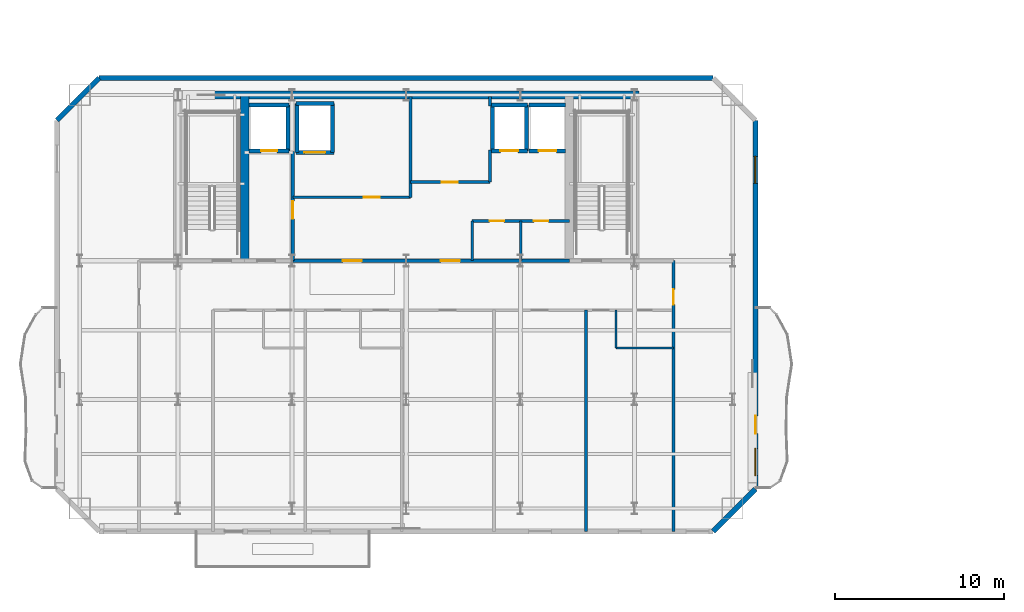
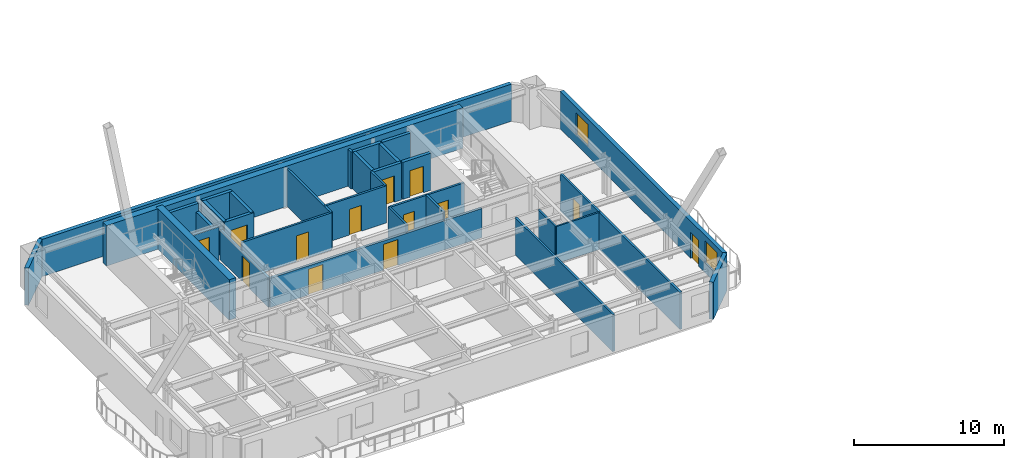
# One storey, part 6 of 13: 33 walls, 13 doors, 2 windows, 15 openings.
"""IFC4 building model written with IfcOpenShell, lengths in metres."""

from ifc_helpers import new_model, si_unit, direction, frame, frame_2d, origin, place, context, subcontext, project, spatial, rectangle, extrude, material, layer, layer_set, type_object, element, fill, save


model = new_model("IFC4")

# Units and contexts
model_context = context("Model", 3, precision=1e-05, world=origin(), true_north=direction((0.0, 1.0)))
body_context = subcontext(model_context, "Body", "Model", "MODEL_VIEW")
ifc_project = project(units=[si_unit("LENGTHUNIT", "METRE"), si_unit("AREAUNIT", "SQUARE_METRE"), si_unit("VOLUMEUNIT", "CUBIC_METRE"), si_unit("PLANEANGLEUNIT", "RADIAN"), si_unit("MASSUNIT", "GRAM", prefix="KILO")], contexts=[model_context])

# Site, building, storey
site_placement = place(None, origin())
site = spatial("IfcSite", under=ifc_project, at=site_placement, CompositionType="ELEMENT")
building_placement = place(site_placement, origin())
building = spatial("IfcBuilding", under=site, at=building_placement, Name="Haevon Station Towers", CompositionType="ELEMENT")
storey_placement = place(building_placement, frame((0.0, 0.0, 185.699951171875)))
storey = spatial("IfcBuildingStorey", under=building, at=storey_placement, Name="L51", CompositionType="ELEMENT", Elevation=185.699951171875)

# Wall, opening, door
ifc_material_1 = material(Name="Gypsum board on steel stud", Category="steel")
ifc_layer_1 = layer(ifc_material_1, 0.199951171875)
ifc_layer_set_1 = layer_set([ifc_layer_1], Name="Gypsum board on steel stud")
wall_type_1 = type_object("IfcWallType", Name="WL-COR200", PredefinedType="PARTITIONING", material=ifc_layer_set_1)
wall_1_placement = place(storey_placement, frame((30.800048828125, 38.199951171875, 0.0), z_axis=(0.0, 0.0, 1.0), x_axis=(0.0, 1.0, 0.0)))
wall_1 = element("IfcWall", 1, at=wall_1_placement, inside=storey, type_object=wall_type_1, Name="WL-T1FFL-L51-E", PredefinedType="PARTITIONING", context=body_context, shape_type="SweptSolid", body=[
    extrude(rectangle(XDim=6.449951171875, YDim=0.199951171875, at=frame_2d((3.22509765625, 0.0))), origin(), (0.0, 0.0, 1.0), 2.380126953125),
])
opening_1_placement = place(wall_1_placement, frame((2.469970703125, 0.0, 0.0)))
opening_1 = element("IfcOpeningElement", 2, at=opening_1_placement, cuts=wall_1, Name="Opening DR-T1FFL-L51-E", PredefinedType="OPENING", context=body_context, shape_type="SweptSolid", body=[
    extrude(rectangle(XDim=1.050048828125, YDim=2.10009765625, at=frame_2d((0.52490234375, 1.050048828125))), frame((0.0, 0.10986328125, 0.0), z_axis=(0.0, -1.0, 0.0), x_axis=(1.0, 0.0, 0.0)), (0.0, 0.0, 1.0), 0.219970703125),
])
ifc_material_2 = material(Name="Engineered oak timber", Category="wood")
door_type_1 = type_object("IfcDoorType", Name="DR-FD60-1050", OperationType="NOTDEFINED", PredefinedType="DOOR", material=ifc_material_2)
door_1_placement = place(opening_1_placement, origin())
door_1 = element("IfcDoor", 3, at=door_1_placement, inside=storey, type_object=door_type_1, Name="L51 Tower 1 Firefighting Lift Lobby Door E", OperationType="SINGLE_SWING_LEFT", OverallHeight=2.10009765625, OverallWidth=1.050048828125, PredefinedType="DOOR", context=body_context, shape_type="SweptSolid", body=[
    extrude(rectangle(XDim=1.050048828125, YDim=2.10009765625, at=frame_2d((0.52490234375, 1.050048828125))), frame((0.0, 0.02490234375, 0.0), z_axis=(0.0, -1.0, 0.0), x_axis=(1.0, 0.0, 0.0)), (0.0, 0.0, 1.0), 0.050048828125),
])
fill(opening_1, door_1)

# Wall, openings, doors
wall_2_placement = place(storey_placement, frame((30.800048828125, 38.199951171875, 0.0), z_axis=(0.0, 0.0, 1.0), x_axis=(1.0, 0.0, 0.0)))
wall_2 = element("IfcWall", 4, at=wall_2_placement, inside=storey, type_object=wall_type_1, Name="WL-T1CLB-L51", PredefinedType="PARTITIONING", context=body_context, shape_type="SweptSolid", body=[
    extrude(rectangle(XDim=16.349853515625, YDim=0.199951171875, at=frame_2d((8.1748046875, 0.0))), origin(), (0.0, 0.0, 1.0), 2.380126953125),
])
opening_2_placement = place(wall_2_placement, frame((2.949951171875, 0.0, 0.0)))
opening_2 = element("IfcOpeningElement", 5, at=opening_2_placement, cuts=wall_2, Name="Opening DR-T1CLB-L51-1", PredefinedType="OPENING", context=body_context, shape_type="SweptSolid", body=[
    extrude(rectangle(XDim=1.1201171875, YDim=2.10009765625, at=frame_2d((0.56005859375, 1.050048828125))), frame((0.0, 0.10986328125, 0.0), z_axis=(0.0, -1.0, 0.0), x_axis=(1.0, 0.0, 0.0)), (0.0, 0.0, 1.0), 0.219970703125),
])
opening_3_placement = place(wall_2_placement, frame((8.75, 0.0, 0.0)))
opening_3 = element("IfcOpeningElement", 6, at=opening_3_placement, cuts=wall_2, Name="Opening DR-T1CLB-L51-2", PredefinedType="OPENING", context=body_context, shape_type="SweptSolid", body=[
    extrude(rectangle(XDim=1.1201171875, YDim=2.10009765625, at=frame_2d((0.56005859375, 1.050048828125))), frame((0.0, 0.10986328125, 0.0), z_axis=(0.0, -1.0, 0.0), x_axis=(1.0, 0.0, 0.0)), (0.0, 0.0, 1.0), 0.219970703125),
])
door_type_2 = type_object("IfcDoorType", Name="DR-ST-1120", OperationType="NOTDEFINED", PredefinedType="DOOR", material=ifc_material_2)
door_2_placement = place(opening_2_placement, origin())
door_2 = element("IfcDoor", 7, at=door_2_placement, inside=storey, type_object=door_type_2, Name="L51 Tower 1 Core Lift Lobby Door 1", OperationType="SINGLE_SWING_LEFT", OverallHeight=2.10009765625, OverallWidth=1.1201171875, PredefinedType="DOOR", context=body_context, shape_type="SweptSolid", body=[
    extrude(rectangle(XDim=1.1201171875, YDim=2.10009765625, at=frame_2d((0.56005859375, 1.050048828125))), frame((0.0, 0.02490234375, 0.0), z_axis=(0.0, -1.0, 0.0), x_axis=(1.0, 0.0, 0.0)), (0.0, 0.0, 1.0), 0.050048828125),
])
fill(opening_2, door_2)
door_3_placement = place(opening_3_placement, origin())
door_3 = element("IfcDoor", 8, at=door_3_placement, inside=storey, type_object=door_type_2, Name="L51 Tower 1 Core Lift Lobby Door 2", OperationType="SINGLE_SWING_RIGHT", OverallHeight=2.10009765625, OverallWidth=1.1201171875, PredefinedType="DOOR", context=body_context, shape_type="SweptSolid", body=[
    extrude(rectangle(XDim=1.1201171875, YDim=2.10009765625, at=frame_2d((0.56005859375, 1.050048828125))), frame((0.0, 0.02490234375, 0.0), z_axis=(0.0, -1.0, 0.0), x_axis=(1.0, 0.0, 0.0)), (0.0, 0.0, 1.0), 0.050048828125),
])
fill(opening_3, door_3)

# Walls
ifc_material_3 = material(Name="Concrete C60/75", Category="concrete")
ifc_layer_2 = layer(ifc_material_3, 0.5)
ifc_layer_set_2 = layer_set([ifc_layer_2], Name="Concrete C60/75")
wall_type_2 = type_object("IfcWallType", Name="WL-CR500", PredefinedType="SHEAR", material=ifc_layer_set_2)
wall_3_placement = place(storey_placement, frame((23.75, 48.0, 0.0), z_axis=(0.0, 0.0, 1.0), x_axis=(1.0, 0.0, 0.0)))
element("IfcWall", 9, at=wall_3_placement, inside=storey, type_object=wall_type_2, Name="WL-T1CR-L51-N", PredefinedType="SHEAR", context=body_context, shape_type="SweptSolid", body=[
    extrude(rectangle(XDim=27.5, YDim=0.5, at=frame_2d((13.75, 0.0))), origin(), (0.0, 0.0, 1.0), 3.300048828125),
])
wall_4_placement = place(storey_placement, frame((27.949951171875, 38.199951171875, 0.0), z_axis=(0.0, 0.0, 1.0), x_axis=(0.0, 1.0, 0.0)))
element("IfcWall", 10, at=wall_4_placement, inside=storey, type_object=wall_type_2, Name="WL-T1CR-L51-M1", PredefinedType="SHEAR", context=body_context, shape_type="SweptSolid", body=[
    extrude(rectangle(XDim=9.800048828125, YDim=0.5, at=frame_2d((4.89990234375, 0.0))), origin(), (0.0, 0.0, 1.0), 3.300048828125),
])
ifc_material_4 = material(Name="Precast concrete C45/55", Category="concrete")
ifc_layer_3 = layer(ifc_material_4, 0.300048828125)
ifc_layer_set_3 = layer_set([ifc_layer_3], Name="Precast concrete C45/55")
wall_type_3 = type_object("IfcWallType", Name="WL-EXT-PIER300", PredefinedType="SOLIDWALL", material=ifc_layer_set_3)
wall_5_placement = place(storey_placement, frame((16.85009765625, 46.5, 0.0), z_axis=(0.0, 0.0, 1.0), x_axis=(0.707106781187, 0.707106781187, 0.0)))
element("IfcWall", 11, at=wall_5_placement, inside=storey, type_object=wall_type_3, Name="WL-T1-L51-NWC", PredefinedType="SOLIDWALL", context=body_context, shape_type="SweptSolid", body=[
    extrude(rectangle(XDim=3.53564453125, YDim=0.300048828125, at=frame_2d((1.767822265625, 0.0))), origin(), (0.0, 0.0, 1.0), 3.030029296875),
])
wall_6_placement = place(storey_placement, frame((19.35009765625, 49.0, 0.0), z_axis=(0.0, 0.0, 1.0), x_axis=(1.0, 0.0, 0.0)))
element("IfcWall", 12, at=wall_6_placement, inside=storey, type_object=wall_type_3, Name="WL-T1-L51-N", PredefinedType="SOLIDWALL", context=body_context, shape_type="SweptSolid", body=[
    extrude(rectangle(XDim=36.2998046875, YDim=0.300048828125, at=frame_2d((18.14990234375, 0.0))), origin(), (0.0, 0.0, 1.0), 3.030029296875),
])

# Wall, openings, door, windows
wall_7_placement = place(storey_placement, frame((58.14990234375, 46.5, 0.0), z_axis=(0.0, 0.0, 1.0), x_axis=(0.0, -1.0, 0.0)))
wall_7 = element("IfcWall", 13, at=wall_7_placement, inside=storey, type_object=wall_type_3, Name="WL-T1-L51-E", PredefinedType="SOLIDWALL", context=body_context, shape_type="SweptSolid", body=[
    extrude(rectangle(XDim=21.800048828125, YDim=0.300048828125, at=frame_2d((10.89990234375, 0.0))), origin(), (0.0, 0.0, 1.0), 3.030029296875),
])
opening_4_placement = place(wall_7_placement, frame((17.47509765625, 0.0, 0.0)))
opening_4 = element("IfcOpeningElement", 14, at=opening_4_placement, cuts=wall_7, Name="Opening DR-T1-SCAL-L51-E", PredefinedType="OPENING", context=body_context, shape_type="SweptSolid", body=[
    extrude(rectangle(XDim=1.050048828125, YDim=2.10009765625, at=frame_2d((0.52490234375, 1.050048828125))), frame((0.0, 0.159912109375, 0.0), z_axis=(0.0, -1.0, 0.0), x_axis=(1.0, 0.0, 0.0)), (0.0, 0.0, 1.0), 0.320068359375),
])
opening_5_placement = place(wall_7_placement, frame((2.128662109375, 0.0, 0.800048828125)))
opening_5 = element("IfcOpeningElement", 15, at=opening_5_placement, cuts=wall_7, Name="Opening WN-END160", PredefinedType="OPENING", context=body_context, shape_type="SweptSolid", body=[
    extrude(rectangle(XDim=1.60009765625, YDim=1.800048828125, at=frame_2d((0.800048828125, 0.89990234375))), frame((0.0, 0.159912109375, 0.0), z_axis=(0.0, -1.0, 0.0), x_axis=(1.0, 0.0, 0.0)), (0.0, 0.0, 1.0), 0.320068359375),
])
opening_6_placement = place(wall_7_placement, frame((19.39990234375, 0.0, 0.800048828125)))
opening_6 = element("IfcOpeningElement", 16, at=opening_6_placement, cuts=wall_7, Name="Opening WN-END160", PredefinedType="OPENING", context=body_context, shape_type="SweptSolid", body=[
    extrude(rectangle(XDim=1.60009765625, YDim=1.800048828125, at=frame_2d((0.800048828125, 0.89990234375))), frame((0.0, 0.159912109375, 0.0), z_axis=(0.0, -1.0, 0.0), x_axis=(1.0, 0.0, 0.0)), (0.0, 0.0, 1.0), 0.320068359375),
])
ifc_material_5 = material(Name="Thermally broken anodised aluminium and laminated safety glass", Category="aluminium")
door_type_3 = type_object("IfcDoorType", Name="DR-BALC-1050", OperationType="NOTDEFINED", PredefinedType="DOOR", material=ifc_material_5)
door_4_placement = place(opening_4_placement, origin())
door_4 = element("IfcDoor", 17, at=door_4_placement, inside=storey, type_object=door_type_3, Name="Tower 1 L51 East Scalloped Balcony Door", OperationType="SINGLE_SWING_LEFT", OverallHeight=2.10009765625, OverallWidth=1.050048828125, PredefinedType="DOOR", context=body_context, shape_type="SweptSolid", body=[
    extrude(rectangle(XDim=1.050048828125, YDim=2.10009765625, at=frame_2d((0.52490234375, 1.050048828125))), frame((0.0, 0.02490234375, 0.0), z_axis=(0.0, -1.0, 0.0), x_axis=(1.0, 0.0, 0.0)), (0.0, 0.0, 1.0), 0.050048828125),
])
fill(opening_4, door_4)
ifc_material_6 = material(Name="Low-E triple glazing in thermally broken aluminium", Category="aluminium")
window_type = type_object("IfcWindowType", Name="WN-END160", PartitioningType="SINGLE_PANEL", PredefinedType="WINDOW", material=ifc_material_6)
window_1_placement = place(opening_5_placement, origin())
window_1 = element("IfcWindow", 18, at=window_1_placement, inside=storey, type_object=window_type, Name="WN-T1-L51-E01", OverallHeight=1.800048828125, OverallWidth=1.60009765625, PartitioningType="SINGLE_PANEL", PredefinedType="WINDOW", context=body_context, shape_type="SweptSolid", body=[
    extrude(rectangle(XDim=1.60009765625, YDim=1.800048828125, at=frame_2d((0.800048828125, 0.89990234375))), frame((0.0, 0.030029296875, 0.0), z_axis=(0.0, -1.0, 0.0), x_axis=(1.0, 0.0, 0.0)), (0.0, 0.0, 1.0), 0.06005859375),
])
fill(opening_5, window_1)
window_2_placement = place(opening_6_placement, origin())
window_2 = element("IfcWindow", 19, at=window_2_placement, inside=storey, type_object=window_type, Name="WN-T1-L51-E02", OverallHeight=1.800048828125, OverallWidth=1.60009765625, PartitioningType="SINGLE_PANEL", PredefinedType="WINDOW", context=body_context, shape_type="SweptSolid", body=[
    extrude(rectangle(XDim=1.60009765625, YDim=1.800048828125, at=frame_2d((0.800048828125, 0.89990234375))), frame((0.0, 0.030029296875, 0.0), z_axis=(0.0, -1.0, 0.0), x_axis=(1.0, 0.0, 0.0)), (0.0, 0.0, 1.0), 0.06005859375),
])
fill(opening_6, window_2)

# Walls
wall_8_placement = place(storey_placement, frame((58.14990234375, 24.699951171875, 0.0), z_axis=(0.0, 0.0, 1.0), x_axis=(-0.707106781187, -0.707106781187, 0.0)))
element("IfcWall", 20, at=wall_8_placement, inside=storey, type_object=wall_type_3, Name="WL-T1-L51-SEC", PredefinedType="SOLIDWALL", context=body_context, shape_type="SweptSolid", body=[
    extrude(rectangle(XDim=3.53564453125, YDim=0.300048828125, at=frame_2d((1.767822265625, 0.0))), origin(), (0.0, 0.0, 1.0), 3.030029296875),
])
ifc_layer_4 = layer(ifc_material_1, 0.125)
ifc_layer_set_4 = layer_set([ifc_layer_4], Name="Gypsum board on steel stud")
wall_type_4 = type_object("IfcWallType", Name="WL-PRT125", PredefinedType="PARTITIONING", material=ifc_layer_set_4)
wall_9_placement = place(storey_placement, frame((49.908203125, 33.030029296875, 0.0), z_axis=(0.0, 0.0, 1.0), x_axis=(1.0, 0.0, 0.0)))
element("IfcWall", 21, at=wall_9_placement, inside=storey, type_object=wall_type_4, Name="WL-T1PT-L51-14", PredefinedType="PARTITIONING", context=body_context, shape_type="SweptSolid", body=[
    extrude(rectangle(XDim=3.391845703125, YDim=0.125, at=frame_2d((1.69580078125, 0.0))), origin(), (0.0, 0.0, 1.0), 3.030029296875),
])
wall_10_placement = place(storey_placement, frame((49.908203125, 33.030029296875, 0.0), z_axis=(0.0, 0.0, 1.0), x_axis=(0.0, 1.0, 0.0)))
element("IfcWall", 22, at=wall_10_placement, inside=storey, type_object=wall_type_4, Name="WL-T1PT-L51-15", PredefinedType="PARTITIONING", context=body_context, shape_type="SweptSolid", body=[
    extrude(rectangle(XDim=2.25, YDim=0.125, at=frame_2d((1.125, 0.0))), origin(), (0.0, 0.0, 1.0), 3.030029296875),
])

# Wall, opening, door
ifc_layer_5 = layer(ifc_material_1, 0.159912109375)
ifc_layer_set_5 = layer_set([ifc_layer_5], Name="Gypsum board on steel stud")
wall_type_5 = type_object("IfcWallType", Name="WL-PRT160", PredefinedType="PARTITIONING", material=ifc_layer_set_5)
wall_11_placement = place(storey_placement, frame((30.800048828125, 41.949951171875, 0.0), z_axis=(0.0, 0.0, 1.0), x_axis=(1.0, 0.0, 0.0)))
wall_11 = element("IfcWall", 23, at=wall_11_placement, inside=storey, type_object=wall_type_5, Name="WL-T1CW-L51-01", PredefinedType="PARTITIONING", context=body_context, shape_type="SweptSolid", body=[
    extrude(rectangle(XDim=6.949951171875, YDim=0.159912109375, at=frame_2d((3.47509765625, 0.0))), origin(), (0.0, 0.0, 1.0), 3.030029296875),
])
opening_7_placement = place(wall_11_placement, frame((4.199951171875, 0.0, 0.0)))
opening_7 = element("IfcOpeningElement", 24, at=opening_7_placement, cuts=wall_11, Name="Opening DR-WL-T1CW-L51-01-1", PredefinedType="OPENING", context=body_context, shape_type="SweptSolid", body=[
    extrude(rectangle(XDim=0.949951171875, YDim=2.10009765625, at=frame_2d((0.47509765625, 1.050048828125))), frame((0.0, 0.08984375, 0.0), z_axis=(0.0, -1.0, 0.0), x_axis=(1.0, 0.0, 0.0)), (0.0, 0.0, 1.0), 0.179931640625),
])
door_type_4 = type_object("IfcDoorType", Name="DR-FD60-950", OperationType="NOTDEFINED", PredefinedType="DOOR", material=ifc_material_2)
door_5_placement = place(opening_7_placement, origin())
door_5 = element("IfcDoor", 25, at=door_5_placement, inside=storey, type_object=door_type_4, Name="L51 Tower 1 Core Room Door 1-1", OperationType="SINGLE_SWING_RIGHT", OverallHeight=2.10009765625, OverallWidth=0.949951171875, PredefinedType="DOOR", context=body_context, shape_type="SweptSolid", body=[
    extrude(rectangle(XDim=0.949951171875, YDim=2.10009765625, at=frame_2d((0.47509765625, 1.050048828125))), frame((0.0, 0.02490234375, 0.0), z_axis=(0.0, -1.0, 0.0), x_axis=(1.0, 0.0, 0.0)), (0.0, 0.0, 1.0), 0.050048828125),
])
fill(opening_7, door_5)

# Wall
wall_12_placement = place(storey_placement, frame((37.75, 41.949951171875, 0.0), z_axis=(0.0, 0.0, 1.0), x_axis=(0.0, 1.0, 0.0)))
element("IfcWall", 26, at=wall_12_placement, inside=storey, type_object=wall_type_5, Name="WL-T1CW-L51-02", PredefinedType="PARTITIONING", context=body_context, shape_type="SweptSolid", body=[
    extrude(rectangle(XDim=5.949951171875, YDim=0.159912109375, at=frame_2d((2.97509765625, 0.0))), origin(), (0.0, 0.0, 1.0), 3.030029296875),
])

# Wall, opening, door
wall_13_placement = place(storey_placement, frame((37.75, 42.85009765625, 0.0), z_axis=(0.0, 0.0, 1.0), x_axis=(1.0, 0.0, 0.0)))
wall_13 = element("IfcWall", 27, at=wall_13_placement, inside=storey, type_object=wall_type_5, Name="WL-T1CW-L51-03", PredefinedType="PARTITIONING", context=body_context, shape_type="SweptSolid", body=[
    extrude(rectangle(XDim=4.699951171875, YDim=0.159912109375, at=frame_2d((2.35009765625, 0.0))), origin(), (0.0, 0.0, 1.0), 3.030029296875),
])
opening_8_placement = place(wall_13_placement, frame((1.85009765625, 0.0, 0.0)))
opening_8 = element("IfcOpeningElement", 28, at=opening_8_placement, cuts=wall_13, Name="Opening DR-WL-T1CW-L51-03-1", PredefinedType="OPENING", context=body_context, shape_type="SweptSolid", body=[
    extrude(rectangle(XDim=0.949951171875, YDim=2.10009765625, at=frame_2d((0.47509765625, 1.050048828125))), frame((0.0, 0.08984375, 0.0), z_axis=(0.0, -1.0, 0.0), x_axis=(1.0, 0.0, 0.0)), (0.0, 0.0, 1.0), 0.179931640625),
])
door_6_placement = place(opening_8_placement, origin())
door_6 = element("IfcDoor", 29, at=door_6_placement, inside=storey, type_object=door_type_4, Name="L51 Tower 1 Core Room Door 3-1", OperationType="SINGLE_SWING_LEFT", OverallHeight=2.10009765625, OverallWidth=0.949951171875, PredefinedType="DOOR", context=body_context, shape_type="SweptSolid", body=[
    extrude(rectangle(XDim=0.949951171875, YDim=2.10009765625, at=frame_2d((0.47509765625, 1.050048828125))), frame((0.0, 0.02490234375, 0.0), z_axis=(0.0, -1.0, 0.0), x_axis=(1.0, 0.0, 0.0)), (0.0, 0.0, 1.0), 0.050048828125),
])
fill(opening_8, door_6)

# Walls
wall_14_placement = place(storey_placement, frame((42.449951171875, 42.85009765625, 0.0), z_axis=(0.0, 0.0, 1.0), x_axis=(0.0, 1.0, 0.0)))
element("IfcWall", 30, at=wall_14_placement, inside=storey, type_object=wall_type_5, Name="WL-T1CW-L51-04", PredefinedType="PARTITIONING", context=body_context, shape_type="SweptSolid", body=[
    extrude(rectangle(XDim=1.89990234375, YDim=0.159912109375, at=frame_2d((0.949951171875, 0.0))), origin(), (0.0, 0.0, 1.0), 3.030029296875),
])
wall_15_placement = place(storey_placement, frame((42.449951171875, 47.35009765625, 0.0), z_axis=(0.0, 0.0, 1.0), x_axis=(0.0, 1.0, 0.0)))
element("IfcWall", 31, at=wall_15_placement, inside=storey, type_object=wall_type_5, Name="WL-T1CW-L51-05", PredefinedType="PARTITIONING", context=body_context, shape_type="SweptSolid", body=[
    extrude(rectangle(XDim=0.5498046875, YDim=0.159912109375, at=frame_2d((0.27490234375, 0.0))), origin(), (0.0, 0.0, 1.0), 3.030029296875),
])
for number, where, z_axis, x_axis, name in (
    (32, (41.39990234375, 38.199951171875, 0.0), (0.0, 0.0, 1.0), (0.0, 1.0, 0.0), "WL-T1CW-L51-06"),
    (33, (44.280029296875, 38.199951171875, 0.0), (0.0, 0.0, 1.0), (0.0, 1.0, 0.0), "WL-T1CW-L51-07"),
):
    element("IfcWall", number, at=place(storey_placement, frame(where, z_axis=z_axis, x_axis=x_axis)), inside=storey, type_object=wall_type_5, Name=name, PredefinedType="PARTITIONING", context=body_context, shape_type="SweptSolid", body=[
        extrude(rectangle(XDim=2.35009765625, YDim=0.159912109375, at=frame_2d((1.175048828125, 0.0))), origin(), (0.0, 0.0, 1.0), 3.030029296875),
    ])

# Wall, openings, doors
wall_16_placement = place(storey_placement, frame((41.39990234375, 40.550048828125, 0.0), z_axis=(0.0, 0.0, 1.0), x_axis=(1.0, 0.0, 0.0)))
wall_16 = element("IfcWall", 34, at=wall_16_placement, inside=storey, type_object=wall_type_5, Name="WL-T1CW-L51-08", PredefinedType="PARTITIONING", context=body_context, shape_type="SweptSolid", body=[
    extrude(rectangle(XDim=5.75, YDim=0.159912109375, at=frame_2d((2.875, 0.0))), origin(), (0.0, 0.0, 1.0), 3.030029296875),
])
opening_9_placement = place(wall_16_placement, frame((1.034912109375, 0.0, 0.0)))
opening_9 = element("IfcOpeningElement", 35, at=opening_9_placement, cuts=wall_16, Name="Opening DR-WL-T1CW-L51-08-1", PredefinedType="OPENING", context=body_context, shape_type="SweptSolid", body=[
    extrude(rectangle(XDim=0.85009765625, YDim=2.050048828125, at=frame_2d((0.425048828125, 1.02490234375))), frame((0.0, 0.08984375, 0.0), z_axis=(0.0, -1.0, 0.0), x_axis=(1.0, 0.0, 0.0)), (0.0, 0.0, 1.0), 0.179931640625),
])
opening_10_placement = place(wall_16_placement, frame((3.655029296875, 0.0, 0.0)))
opening_10 = element("IfcOpeningElement", 36, at=opening_10_placement, cuts=wall_16, Name="Opening DR-WL-T1CW-L51-08-2", PredefinedType="OPENING", context=body_context, shape_type="SweptSolid", body=[
    extrude(rectangle(XDim=0.85009765625, YDim=2.050048828125, at=frame_2d((0.425048828125, 1.02490234375))), frame((0.0, 0.08984375, 0.0), z_axis=(0.0, -1.0, 0.0), x_axis=(1.0, 0.0, 0.0)), (0.0, 0.0, 1.0), 0.179931640625),
])
door_type_5 = type_object("IfcDoorType", Name="DR-FD30-850", OperationType="NOTDEFINED", PredefinedType="DOOR", material=ifc_material_2)
door_7_placement = place(opening_9_placement, origin())
door_7 = element("IfcDoor", 37, at=door_7_placement, inside=storey, type_object=door_type_5, Name="L51 Tower 1 Core Room Door 8-1", OperationType="SINGLE_SWING_RIGHT", OverallHeight=2.050048828125, OverallWidth=0.85009765625, PredefinedType="DOOR", context=body_context, shape_type="SweptSolid", body=[
    extrude(rectangle(XDim=0.85009765625, YDim=2.050048828125, at=frame_2d((0.425048828125, 1.02490234375))), frame((0.0, 0.02490234375, 0.0), z_axis=(0.0, -1.0, 0.0), x_axis=(1.0, 0.0, 0.0)), (0.0, 0.0, 1.0), 0.050048828125),
])
fill(opening_9, door_7)
door_8_placement = place(opening_10_placement, origin())
door_8 = element("IfcDoor", 38, at=door_8_placement, inside=storey, type_object=door_type_5, Name="L51 Tower 1 Core Room Door 8-2", OperationType="SINGLE_SWING_LEFT", OverallHeight=2.050048828125, OverallWidth=0.85009765625, PredefinedType="DOOR", context=body_context, shape_type="SweptSolid", body=[
    extrude(rectangle(XDim=0.85009765625, YDim=2.050048828125, at=frame_2d((0.425048828125, 1.02490234375))), frame((0.0, 0.02490234375, 0.0), z_axis=(0.0, -1.0, 0.0), x_axis=(1.0, 0.0, 0.0)), (0.0, 0.0, 1.0), 0.050048828125),
])
fill(opening_10, door_8)

# Wall, opening, door
wall_17_placement = place(storey_placement, frame((53.300048828125, 22.199951171875, 0.0), z_axis=(0.0, 0.0, 1.0), x_axis=(0.0, 1.0, 0.0)))
wall_17 = element("IfcWall", 39, at=wall_17_placement, inside=storey, type_object=wall_type_5, Name="WL-T1PT-L51-05", PredefinedType="PARTITIONING", context=body_context, shape_type="SweptSolid", body=[
    extrude(rectangle(XDim=16.0, YDim=0.159912109375, at=frame_2d((8.0, 0.0))), origin(), (0.0, 0.0, 1.0), 3.030029296875),
])
opening_11_placement = place(wall_17_placement, frame((13.39990234375, 0.0, 0.0)))
opening_11 = element("IfcOpeningElement", 40, at=opening_11_placement, cuts=wall_17, Name="Opening DR-WL-T1PT-L51-05-01", PredefinedType="OPENING", context=body_context, shape_type="SweptSolid", body=[
    extrude(rectangle(XDim=0.89990234375, YDim=2.050048828125, at=frame_2d((0.449951171875, 1.02490234375))), frame((0.0, 0.08984375, 0.0), z_axis=(0.0, -1.0, 0.0), x_axis=(1.0, 0.0, 0.0)), (0.0, 0.0, 1.0), 0.179931640625),
])
door_type_6 = type_object("IfcDoorType", Name="DR-INT-900", OperationType="NOTDEFINED", PredefinedType="DOOR", material=ifc_material_2)
door_9_placement = place(opening_11_placement, origin())
door_9 = element("IfcDoor", 41, at=door_9_placement, inside=storey, type_object=door_type_6, Name="L51 Tower 1 Room Door 5-1", OperationType="SINGLE_SWING_LEFT", OverallHeight=2.050048828125, OverallWidth=0.89990234375, PredefinedType="DOOR", context=body_context, shape_type="SweptSolid", body=[
    extrude(rectangle(XDim=0.89990234375, YDim=2.050048828125, at=frame_2d((0.449951171875, 1.02490234375))), frame((0.0, 0.02490234375, 0.0), z_axis=(0.0, -1.0, 0.0), x_axis=(1.0, 0.0, 0.0)), (0.0, 0.0, 1.0), 0.050048828125),
])
fill(opening_11, door_9)

# Wall
wall_18_placement = place(storey_placement, frame((48.128173828125, 22.199951171875, 0.0), z_axis=(0.0, 0.0, 1.0), x_axis=(0.0, 1.0, 0.0)))
element("IfcWall", 42, at=wall_18_placement, inside=storey, type_object=wall_type_5, Name="WL-T1PT-L51-13", PredefinedType="PARTITIONING", context=body_context, shape_type="SweptSolid", body=[
    extrude(rectangle(XDim=13.080078125, YDim=0.159912109375, at=frame_2d((6.5400390625, 0.0))), origin(), (0.0, 0.0, 1.0), 3.030029296875),
])

# Wall, opening, door
ifc_material_7 = material(Name="Concrete C40/50", Category="concrete")
ifc_layer_6 = layer(ifc_material_7, 0.239990234375)
ifc_layer_set_6 = layer_set([ifc_layer_6], Name="Concrete C40/50")
wall_type_6 = type_object("IfcWallType", Name="WL-SHF240", PredefinedType="PARTITIONING", material=ifc_layer_set_6)
wall_19_placement = place(storey_placement, frame((28.219970703125, 44.699951171875, 0.0), z_axis=(0.0, 0.0, 1.0), x_axis=(1.0, 0.0, 0.0)))
wall_19 = element("IfcWall", 43, at=wall_19_placement, inside=storey, type_object=wall_type_6, Name="WL-SHF-FL1-L51", PredefinedType="PARTITIONING", context=body_context, shape_type="SweptSolid", body=[
    extrude(rectangle(XDim=2.360107421875, YDim=0.239990234375, at=frame_2d((1.18017578125, 0.0))), origin(), (0.0, 0.0, 1.0), 2.72998046875),
])
opening_12_placement = place(wall_19_placement, frame((0.705078125, 0.0, 0.0)))
opening_12 = element("IfcOpeningElement", 44, at=opening_12_placement, cuts=wall_19, Name="Opening LD-FL1-L51", PredefinedType="OPENING", context=body_context, shape_type="SweptSolid", body=[
    extrude(rectangle(XDim=0.949951171875, YDim=2.14990234375, at=frame_2d((0.47509765625, 1.074951171875))), frame((0.0, 0.1298828125, 0.0), z_axis=(0.0, -1.0, 0.0), x_axis=(1.0, 0.0, 0.0)), (0.0, 0.0, 1.0), 0.260009765625),
])
ifc_material_8 = material(Name="Stainless steel and rated core", Category="steel")
door_type_7 = type_object("IfcDoorType", Name="LD-FL950", OperationType="SLIDING_TO_LEFT", PredefinedType="DOOR", material=ifc_material_8)
door_10_placement = place(opening_12_placement, origin())
door_10 = element("IfcDoor", 45, at=door_10_placement, inside=storey, type_object=door_type_7, Name="L51 Lift FL1 Sliding Landing Door", OperationType="SLIDING_TO_LEFT", OverallHeight=2.14990234375, OverallWidth=0.949951171875, PredefinedType="DOOR", context=body_context, shape_type="SweptSolid", body=[
    extrude(rectangle(XDim=0.949951171875, YDim=2.14990234375, at=frame_2d((0.47509765625, 1.074951171875))), frame((0.0, 0.02490234375, 0.0), z_axis=(0.0, -1.0, 0.0), x_axis=(1.0, 0.0, 0.0)), (0.0, 0.0, 1.0), 0.050048828125),
])
fill(opening_12, door_10)

# Walls
wall_20_placement = place(storey_placement, frame((28.219970703125, 47.39990234375, 0.0), z_axis=(0.0, 0.0, 1.0), x_axis=(1.0, 0.0, 0.0)))
element("IfcWall", 46, at=wall_20_placement, inside=storey, type_object=wall_type_6, Name="WL-SHF-FL1-L51-N", PredefinedType="PARTITIONING", context=body_context, shape_type="SweptSolid", body=[
    extrude(rectangle(XDim=2.360107421875, YDim=0.239990234375, at=frame_2d((1.18017578125, 0.0))), origin(), (0.0, 0.0, 1.0), 3.030029296875),
])
wall_21_placement = place(storey_placement, frame((30.5, 44.699951171875, 0.0), z_axis=(0.0, 0.0, 1.0), x_axis=(0.0, 1.0, 0.0)))
element("IfcWall", 47, at=wall_21_placement, inside=storey, type_object=wall_type_6, Name="WL-SHF-FL1-L51-E", PredefinedType="PARTITIONING", context=body_context, shape_type="SweptSolid", body=[
    extrude(rectangle(XDim=2.699951171875, YDim=0.239990234375, at=frame_2d((1.35009765625, 0.0))), origin(), (0.0, 0.0, 1.0), 2.380126953125),
])

# Wall, opening, door
wall_22_placement = place(storey_placement, frame((30.969970703125, 44.60009765625, 0.0), z_axis=(0.0, 0.0, 1.0), x_axis=(1.0, 0.0, 0.0)))
wall_22 = element("IfcWall", 48, at=wall_22_placement, inside=storey, type_object=wall_type_6, Name="WL-SHF-SL1-L51", PredefinedType="PARTITIONING", context=body_context, shape_type="SweptSolid", body=[
    extrude(rectangle(XDim=2.260009765625, YDim=0.239990234375, at=frame_2d((1.1298828125, 0.0))), origin(), (0.0, 0.0, 1.0), 3.030029296875),
])
opening_13_placement = place(wall_22_placement, frame((0.5048828125, 0.0, 0.0)))
opening_13 = element("IfcOpeningElement", 49, at=opening_13_placement, cuts=wall_22, Name="Opening LD-SL1-L51", PredefinedType="OPENING", context=body_context, shape_type="SweptSolid", body=[
    extrude(rectangle(XDim=1.25, YDim=2.199951171875, at=frame_2d((0.625, 1.10009765625))), frame((0.0, 0.1298828125, 0.0), z_axis=(0.0, -1.0, 0.0), x_axis=(1.0, 0.0, 0.0)), (0.0, 0.0, 1.0), 0.260009765625),
])
door_type_8 = type_object("IfcDoorType", Name="LD-SL1250", OperationType="SLIDING_TO_LEFT", PredefinedType="DOOR", material=ifc_material_8)
door_11_placement = place(opening_13_placement, origin())
door_11 = element("IfcDoor", 50, at=door_11_placement, inside=storey, type_object=door_type_8, Name="L51 Lift SL1 Sliding Landing Door", OperationType="SLIDING_TO_LEFT", OverallHeight=2.199951171875, OverallWidth=1.25, PredefinedType="DOOR", context=body_context, shape_type="SweptSolid", body=[
    extrude(rectangle(XDim=1.25, YDim=2.199951171875, at=frame_2d((0.625, 1.10009765625))), frame((0.0, 0.02490234375, 0.0), z_axis=(0.0, -1.0, 0.0), x_axis=(1.0, 0.0, 0.0)), (0.0, 0.0, 1.0), 0.050048828125),
])
fill(opening_13, door_11)

# Walls
wall_23_placement = place(storey_placement, frame((30.969970703125, 47.5, 0.0), z_axis=(0.0, 0.0, 1.0), x_axis=(1.0, 0.0, 0.0)))
element("IfcWall", 51, at=wall_23_placement, inside=storey, type_object=wall_type_6, Name="WL-SHF-SL1-L51-N", PredefinedType="PARTITIONING", context=body_context, shape_type="SweptSolid", body=[
    extrude(rectangle(XDim=2.260009765625, YDim=0.239990234375, at=frame_2d((1.1298828125, 0.0))), origin(), (0.0, 0.0, 1.0), 3.030029296875),
])
for number, where, z_axis, x_axis, name in (
    (52, (31.050048828125, 44.60009765625, 0.0), (0.0, 0.0, 1.0), (0.0, 1.0, 0.0), "WL-SHF-SL1-L51-W"),
    (53, (33.14990234375, 44.60009765625, 0.0), (0.0, 0.0, 1.0), (0.0, 1.0, 0.0), "WL-SHF-SL1-L51-E"),
):
    element("IfcWall", number, at=place(storey_placement, frame(where, z_axis=z_axis, x_axis=x_axis)), inside=storey, type_object=wall_type_6, Name=name, PredefinedType="PARTITIONING", context=body_context, shape_type="SweptSolid", body=[
        extrude(rectangle(XDim=2.89990234375, YDim=0.239990234375, at=frame_2d((1.449951171875, 0.0))), origin(), (0.0, 0.0, 1.0), 3.030029296875),
    ])

# Wall, opening, door
wall_24_placement = place(storey_placement, frame((42.52001953125, 44.699951171875, 0.0), z_axis=(0.0, 0.0, 1.0), x_axis=(1.0, 0.0, 0.0)))
wall_24 = element("IfcWall", 54, at=wall_24_placement, inside=storey, type_object=wall_type_6, Name="WL-SHF-PL5-L51", PredefinedType="PARTITIONING", context=body_context, shape_type="SweptSolid", body=[
    extrude(rectangle(XDim=2.159912109375, YDim=0.239990234375, at=frame_2d((1.080078125, 0.0))), origin(), (0.0, 0.0, 1.0), 3.030029296875),
])
opening_14_placement = place(wall_24_placement, frame((0.554931640625, 0.0, 0.0)))
opening_14 = element("IfcOpeningElement", 55, at=opening_14_placement, cuts=wall_24, Name="Opening LD-PL5-L51", PredefinedType="OPENING", context=body_context, shape_type="SweptSolid", body=[
    extrude(rectangle(XDim=1.050048828125, YDim=2.14990234375, at=frame_2d((0.52490234375, 1.074951171875))), frame((0.0, 0.1298828125, 0.0), z_axis=(0.0, -1.0, 0.0), x_axis=(1.0, 0.0, 0.0)), (0.0, 0.0, 1.0), 0.260009765625),
])
door_type_9 = type_object("IfcDoorType", Name="LD-PL1050", OperationType="SLIDING_TO_LEFT", PredefinedType="DOOR", material=ifc_material_8)
door_12_placement = place(opening_14_placement, origin())
door_12 = element("IfcDoor", 56, at=door_12_placement, inside=storey, type_object=door_type_9, Name="L51 Lift PL5 Sliding Landing Door", OperationType="SLIDING_TO_LEFT", OverallHeight=2.14990234375, OverallWidth=1.050048828125, PredefinedType="DOOR", context=body_context, shape_type="SweptSolid", body=[
    extrude(rectangle(XDim=1.050048828125, YDim=2.14990234375, at=frame_2d((0.52490234375, 1.074951171875))), frame((0.0, 0.02490234375, 0.0), z_axis=(0.0, -1.0, 0.0), x_axis=(1.0, 0.0, 0.0)), (0.0, 0.0, 1.0), 0.050048828125),
])
fill(opening_14, door_12)

# Walls
wall_25_placement = place(storey_placement, frame((42.52001953125, 47.39990234375, 0.0), z_axis=(0.0, 0.0, 1.0), x_axis=(1.0, 0.0, 0.0)))
element("IfcWall", 57, at=wall_25_placement, inside=storey, type_object=wall_type_6, Name="WL-SHF-PL5-L51-N", PredefinedType="PARTITIONING", context=body_context, shape_type="SweptSolid", body=[
    extrude(rectangle(XDim=2.159912109375, YDim=0.239990234375, at=frame_2d((1.080078125, 0.0))), origin(), (0.0, 0.0, 1.0), 3.030029296875),
])
for number, where, z_axis, x_axis, name in (
    (58, (42.60009765625, 44.699951171875, 0.0), (0.0, 0.0, 1.0), (0.0, 1.0, 0.0), "WL-SHF-PL5-L51-W"),
    (59, (44.60009765625, 44.699951171875, 0.0), (0.0, 0.0, 1.0), (0.0, 1.0, 0.0), "WL-SHF-PL5-L51-E"),
):
    element("IfcWall", number, at=place(storey_placement, frame(where, z_axis=z_axis, x_axis=x_axis)), inside=storey, type_object=wall_type_6, Name=name, PredefinedType="PARTITIONING", context=body_context, shape_type="SweptSolid", body=[
        extrude(rectangle(XDim=2.699951171875, YDim=0.239990234375, at=frame_2d((1.35009765625, 0.0))), origin(), (0.0, 0.0, 1.0), 3.030029296875),
    ])

# Wall, opening, door
wall_26_placement = place(storey_placement, frame((44.77001953125, 44.699951171875, 0.0), z_axis=(0.0, 0.0, 1.0), x_axis=(1.0, 0.0, 0.0)))
wall_26 = element("IfcWall", 60, at=wall_26_placement, inside=storey, type_object=wall_type_6, Name="WL-SHF-PL6-L51", PredefinedType="PARTITIONING", context=body_context, shape_type="SweptSolid", body=[
    extrude(rectangle(XDim=2.159912109375, YDim=0.239990234375, at=frame_2d((1.080078125, 0.0))), origin(), (0.0, 0.0, 1.0), 3.030029296875),
])
opening_15_placement = place(wall_26_placement, frame((0.554931640625, 0.0, 0.0)))
opening_15 = element("IfcOpeningElement", 61, at=opening_15_placement, cuts=wall_26, Name="Opening LD-PL6-L51", PredefinedType="OPENING", context=body_context, shape_type="SweptSolid", body=[
    extrude(rectangle(XDim=1.050048828125, YDim=2.14990234375, at=frame_2d((0.52490234375, 1.074951171875))), frame((0.0, 0.1298828125, 0.0), z_axis=(0.0, -1.0, 0.0), x_axis=(1.0, 0.0, 0.0)), (0.0, 0.0, 1.0), 0.260009765625),
])
door_13_placement = place(opening_15_placement, origin())
door_13 = element("IfcDoor", 62, at=door_13_placement, inside=storey, type_object=door_type_9, Name="L51 Lift PL6 Sliding Landing Door", OperationType="SLIDING_TO_LEFT", OverallHeight=2.14990234375, OverallWidth=1.050048828125, PredefinedType="DOOR", context=body_context, shape_type="SweptSolid", body=[
    extrude(rectangle(XDim=1.050048828125, YDim=2.14990234375, at=frame_2d((0.52490234375, 1.074951171875))), frame((0.0, 0.02490234375, 0.0), z_axis=(0.0, -1.0, 0.0), x_axis=(1.0, 0.0, 0.0)), (0.0, 0.0, 1.0), 0.050048828125),
])
fill(opening_15, door_13)

# Wall
wall_27_placement = place(storey_placement, frame((44.77001953125, 47.39990234375, 0.0), z_axis=(0.0, 0.0, 1.0), x_axis=(1.0, 0.0, 0.0)))
element("IfcWall", 63, at=wall_27_placement, inside=storey, type_object=wall_type_6, Name="WL-SHF-PL6-L51-N", PredefinedType="PARTITIONING", context=body_context, shape_type="SweptSolid", body=[
    extrude(rectangle(XDim=2.159912109375, YDim=0.239990234375, at=frame_2d((1.080078125, 0.0))), origin(), (0.0, 0.0, 1.0), 3.030029296875),
])

save(model, "model.ifc")
